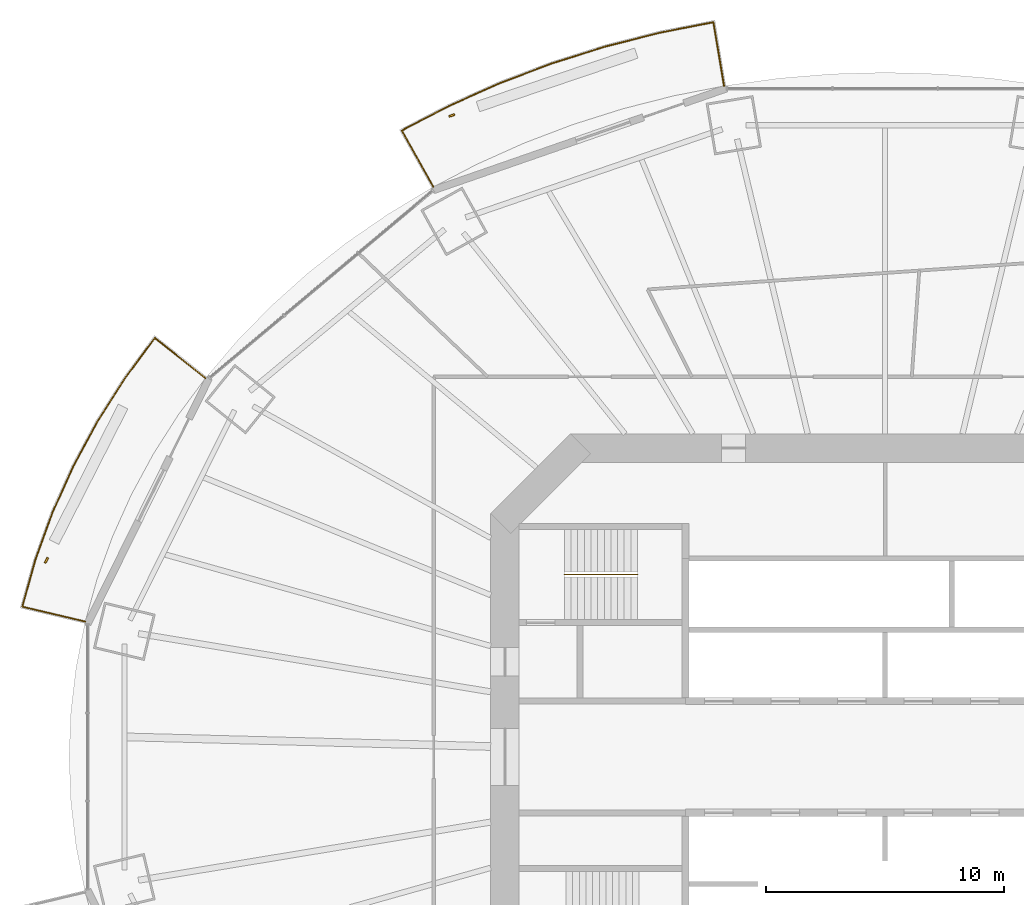
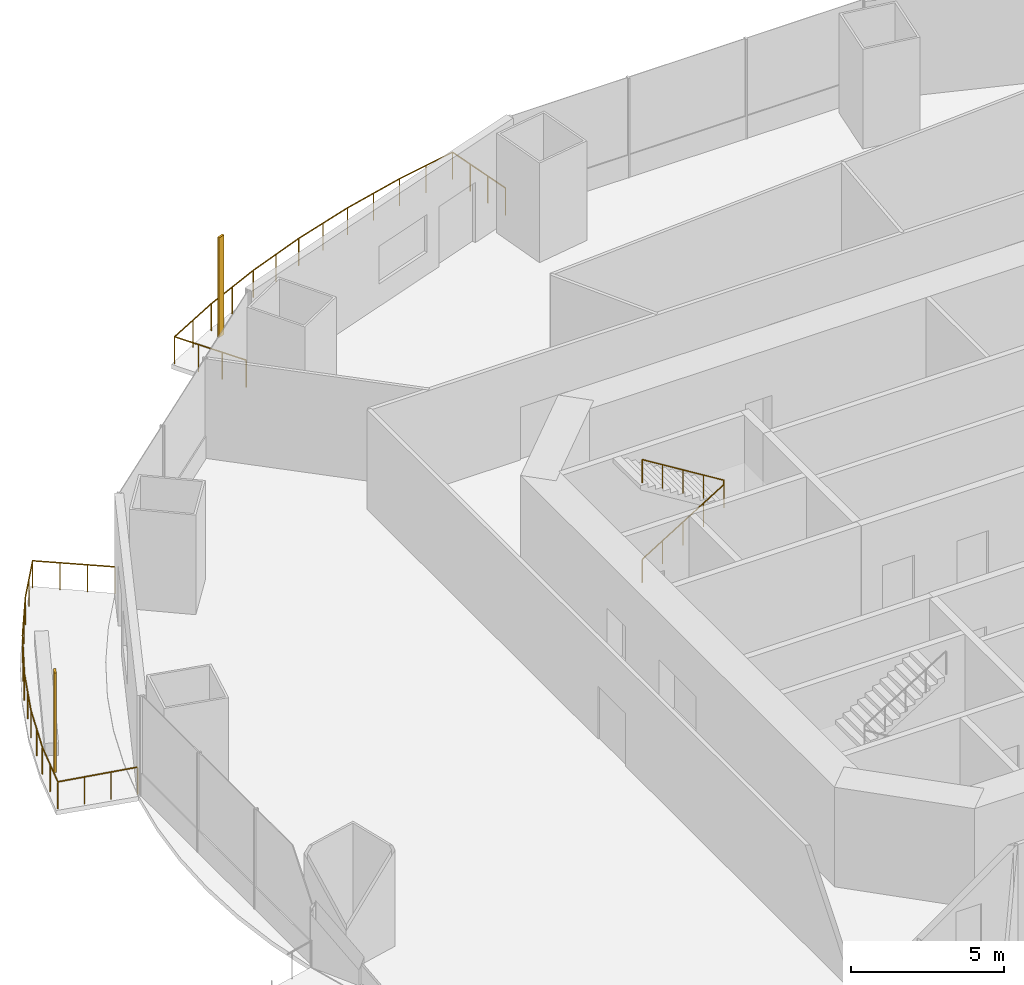
# One storey, part 19 of 22: 3 railings, 2 shading devices.
"""IFC4 building model written with IfcOpenShell, lengths in metres."""

from ifc_helpers import new_model, si_unit, direction, frame, origin, origin_2d, place, context, subcontext, project, spatial, rectangle, circle, extrude, material, material_profile, profile_set, type_object, element, save


model = new_model("IFC4")

# Units and contexts
model_context = context("Model", 3, precision=1e-05, world=origin(), true_north=direction((0.0, 1.0)))
body_context = subcontext(model_context, "Body", "Model", "MODEL_VIEW")
ifc_project = project(units=[si_unit("LENGTHUNIT", "METRE"), si_unit("AREAUNIT", "SQUARE_METRE"), si_unit("VOLUMEUNIT", "CUBIC_METRE"), si_unit("PLANEANGLEUNIT", "RADIAN"), si_unit("MASSUNIT", "GRAM", prefix="KILO")], contexts=[model_context])

# Site, building, storey
site_placement = place(None, origin())
site = spatial("IfcSite", under=ifc_project, at=site_placement, CompositionType="ELEMENT")
building_placement = place(site_placement, origin())
building = spatial("IfcBuilding", under=site, at=building_placement, Name="Marenthal Gate Tower", CompositionType="ELEMENT")
storey_placement = place(building_placement, frame((0.0, 0.0, 111.85009765625)))
storey = spatial("IfcBuildingStorey", under=building, at=storey_placement, Name="L23", CompositionType="ELEMENT", Elevation=111.85009765625)

# Railings
ifc_material_1 = material(Name="Stainless steel", Category="steel")
railing_type_1 = type_object("IfcRailingType", Name="Balcony guard 1100", PredefinedType="GUARDRAIL", material=ifc_material_1)
railing_1_placement = place(storey_placement, frame((-19.01171875, 23.9921875, 0.0)))
element("IfcRailing", 1, at=railing_1_placement, inside=storey, type_object=railing_type_1, Name="Balcony guard L23 bay 5", PredefinedType="GUARDRAIL", context=body_context, shape_type="SweptSolid", body=[
    extrude(circle(Radius=0.02392578125, at=origin_2d()), frame((0.0, 0.0, 1.076171875), z_axis=(-0.489197979897, 0.87204857286, -0.014718119373), x_axis=(-0.872143041114, -0.489250974283, 0.0)), (0.0, 0.0, 1.0), 2.720458984375),
    extrude(circle(Radius=0.02392578125, at=origin_2d()), frame((-1.330810546875, 2.372314453125, 1.0361328125), z_axis=(0.887125590865, 0.461528098855, 0.0), x_axis=(-0.461528098855, 0.887125590865, 0.0)), (0.0, 0.0, 1.0), 2.235595703125),
    extrude(circle(Radius=0.02392578125, at=origin_2d()), frame((0.65234375, 3.404052734375, 1.0361328125), z_axis=(0.912494502903, 0.409088966083, 0.0), x_axis=(-0.409088966083, 0.912494502903, 0.0)), (0.0, 0.0, 1.0), 2.332275390625),
    extrude(circle(Radius=0.02392578125, at=origin_2d()), frame((2.780517578125, 4.358154296875, 1.0361328125), z_axis=(0.934764240257, 0.35526865206, 0.0), x_axis=(-0.35526865206, 0.934764240257, 0.0)), (0.0, 0.0, 1.0), 2.347412109375),
    extrude(circle(Radius=0.02392578125, at=origin_2d()), frame((4.974853515625, 5.192138671875, 1.0361328125), z_axis=(0.953609232067, 0.30104722639, 0.0), x_axis=(-0.30104722639, 0.953609232067, 0.0)), (0.0, 0.0, 1.0), 2.36083984375),
    extrude(circle(Radius=0.02392578125, at=origin_2d()), frame((7.22607421875, 5.90283203125, 1.0361328125), z_axis=(0.969104776695, 0.246649410675, 0.0), x_axis=(-0.246649410675, 0.969104776695, 0.0)), (0.0, 0.0, 1.0), 2.37255859375),
    extrude(circle(Radius=0.02392578125, at=origin_2d()), frame((9.525390625, 6.488037109375, 1.0361328125), z_axis=(0.981215853429, 0.192913060677, 0.0), x_axis=(-0.192913060677, 0.981215853429, 0.0)), (0.0, 0.0, 1.0), 2.302001953125),
    extrude(circle(Radius=0.02392578125, at=origin_2d()), frame((11.7841796875, 6.93212890625, 1.0361328125), z_axis=(0.164686797849, -0.986236088047, 0.014718602097), x_axis=(0.986342933143, 0.164704639396, 0.0)), (0.0, 0.0, 1.0), 2.72021484375),
    extrude(circle(Radius=0.02099609375, at=origin_2d()), origin(), (0.0, 0.0, 1.0), 1.052001953125),
    extrude(circle(Radius=0.02099609375, at=origin_2d()), frame((-0.443603515625, 0.790771484375, -0.013427734375)), (0.0, 0.0, 1.0), 1.052001953125),
    extrude(circle(Radius=0.02099609375, at=origin_2d()), frame((-0.88720703125, 1.58154296875, -0.026611328125)), (0.0, 0.0, 1.0), 1.052001953125),
    extrude(circle(Radius=0.02099609375, at=origin_2d()), frame((-1.330810546875, 2.372314453125, -0.0400390625)), (0.0, 0.0, 1.0), 1.052001953125),
    extrude(circle(Radius=0.02099609375, at=origin_2d()), frame((-0.33935546875, 2.88818359375, -0.0400390625)), (0.0, 0.0, 1.0), 1.052001953125),
    extrude(circle(Radius=0.02099609375, at=origin_2d()), frame((0.65234375, 3.404052734375, -0.0400390625)), (0.0, 0.0, 1.0), 1.052001953125),
    extrude(circle(Radius=0.02099609375, at=origin_2d()), frame((1.71630859375, 3.881103515625, -0.0400390625)), (0.0, 0.0, 1.0), 1.052001953125),
    extrude(circle(Radius=0.02099609375, at=origin_2d()), frame((2.780517578125, 4.358154296875, -0.0400390625)), (0.0, 0.0, 1.0), 1.052001953125),
    extrude(circle(Radius=0.02099609375, at=origin_2d()), frame((3.877685546875, 4.775146484375, -0.0400390625)), (0.0, 0.0, 1.0), 1.052001953125),
    extrude(circle(Radius=0.02099609375, at=origin_2d()), frame((4.974853515625, 5.192138671875, -0.0400390625)), (0.0, 0.0, 1.0), 1.052001953125),
    extrude(circle(Radius=0.02099609375, at=origin_2d()), frame((6.1005859375, 5.54736328125, -0.0400390625)), (0.0, 0.0, 1.0), 1.052001953125),
    extrude(circle(Radius=0.02099609375, at=origin_2d()), frame((7.22607421875, 5.90283203125, -0.0400390625)), (0.0, 0.0, 1.0), 1.052001953125),
    extrude(circle(Radius=0.02099609375, at=origin_2d()), frame((8.375732421875, 6.1953125, -0.0400390625)), (0.0, 0.0, 1.0), 1.052001953125),
    extrude(circle(Radius=0.02099609375, at=origin_2d()), frame((9.525390625, 6.488037109375, -0.0400390625)), (0.0, 0.0, 1.0), 1.052001953125),
    extrude(circle(Radius=0.02099609375, at=origin_2d()), frame((10.65478515625, 6.7099609375, -0.0400390625)), (0.0, 0.0, 1.0), 1.052001953125),
    extrude(circle(Radius=0.02099609375, at=origin_2d()), frame((11.7841796875, 6.93212890625, -0.0400390625)), (0.0, 0.0, 1.0), 1.052001953125),
    extrude(circle(Radius=0.02099609375, at=origin_2d()), frame((11.93359375, 6.037841796875, -0.026611328125)), (0.0, 0.0, 1.0), 1.052001953125),
    extrude(circle(Radius=0.02099609375, at=origin_2d()), frame((12.082763671875, 5.1435546875, -0.013427734375)), (0.0, 0.0, 1.0), 1.052001953125),
    extrude(circle(Radius=0.02099609375, at=origin_2d()), frame((12.232177734375, 4.249267578125, 0.0)), (0.0, 0.0, 1.0), 1.052001953125),
])
railing_2_placement = place(storey_placement, frame((-33.667724609375, 5.697998046875, 0.0)))
element("IfcRailing", 2, at=railing_2_placement, inside=storey, type_object=railing_type_1, Name="Balcony guard L23 bay 7", PredefinedType="GUARDRAIL", context=body_context, shape_type="SweptSolid", body=[
    extrude(circle(Radius=0.02392578125, at=origin_2d()), frame((0.0, 0.0, 1.076171875), z_axis=(-0.972946801612, 0.230559942195, -0.014718501565), x_axis=(-0.230584919848, -0.973052205557, 0.0)), (0.0, 0.0, 1.0), 2.72021484375),
    extrude(circle(Radius=0.02392578125, at=origin_2d()), frame((-2.646728515625, 0.627197265625, 1.0361328125), z_axis=(0.269340401915, 0.963045039391, 0.0), x_axis=(-0.963045039391, 0.269340401915, 0.0)), (0.0, 0.0, 1.0), 2.033203125),
    extrude(circle(Radius=0.02392578125, at=origin_2d()), frame((-2.09912109375, 2.585205078125, 1.0361328125), z_axis=(0.340071165829, 0.940399703409, 0.0), x_axis=(-0.940399703409, 0.340071165829, 0.0)), (0.0, 0.0, 1.0), 2.122802734375),
    extrude(circle(Radius=0.02392578125, at=origin_2d()), frame((-1.377197265625, 4.58154296875, 1.0361328125), z_axis=(0.40931851754, 0.912391555857, 0.0), x_axis=(-0.912391555857, 0.40931851754, 0.0)), (0.0, 0.0, 1.0), 2.13525390625),
    extrude(circle(Radius=0.02392578125, at=origin_2d()), frame((-0.503173828125, 6.52978515625, 1.0361328125), z_axis=(0.475203433283, 0.87987595546, 0.0), x_axis=(-0.87987595546, 0.475203433283, 0.0)), (0.0, 0.0, 1.0), 2.149658203125),
    extrude(circle(Radius=0.02392578125, at=origin_2d()), frame((0.518310546875, 8.421142578125, 1.0361328125), z_axis=(0.537437089424, 0.843303844953, 0.0), x_axis=(-0.843303844953, 0.537437089424, 0.0)), (0.0, 0.0, 1.0), 2.16552734375),
    extrude(circle(Radius=0.02392578125, at=origin_2d()), frame((1.68212890625, 10.247314453125, 1.0361328125), z_axis=(0.594374737218, 0.804188206676, 0.0), x_axis=(-0.804188206676, 0.594374737218, 0.0)), (0.0, 0.0, 1.0), 2.1025390625),
    extrude(circle(Radius=0.02392578125, at=origin_2d()), frame((2.931884765625, 11.938232421875, 1.0361328125), z_axis=(0.78234035398, -0.622677225641, 0.014718804411), x_axis=(0.622744685996, 0.782425112112, 0.0)), (0.0, 0.0, 1.0), 2.72021484375),
    extrude(circle(Radius=0.02099609375, at=origin_2d()), origin(), (0.0, 0.0, 1.0), 1.052001953125),
    extrude(circle(Radius=0.02099609375, at=origin_2d()), frame((-0.88232421875, 0.208984375, -0.013427734375)), (0.0, 0.0, 1.0), 1.052001953125),
    extrude(circle(Radius=0.02099609375, at=origin_2d()), frame((-1.764404296875, 0.418212890625, -0.026611328125)), (0.0, 0.0, 1.0), 1.052001953125),
    extrude(circle(Radius=0.02099609375, at=origin_2d()), frame((-2.646728515625, 0.627197265625, -0.0400390625)), (0.0, 0.0, 1.0), 1.052001953125),
    extrude(circle(Radius=0.02099609375, at=origin_2d()), frame((-2.373046875, 1.606201171875, -0.0400390625)), (0.0, 0.0, 1.0), 1.052001953125),
    extrude(circle(Radius=0.02099609375, at=origin_2d()), frame((-2.09912109375, 2.585205078125, -0.0400390625)), (0.0, 0.0, 1.0), 1.052001953125),
    extrude(circle(Radius=0.02099609375, at=origin_2d()), frame((-1.73828125, 3.58349609375, -0.0400390625)), (0.0, 0.0, 1.0), 1.052001953125),
    extrude(circle(Radius=0.02099609375, at=origin_2d()), frame((-1.377197265625, 4.58154296875, -0.0400390625)), (0.0, 0.0, 1.0), 1.052001953125),
    extrude(circle(Radius=0.02099609375, at=origin_2d()), frame((-0.940185546875, 5.5556640625, -0.0400390625)), (0.0, 0.0, 1.0), 1.052001953125),
    extrude(circle(Radius=0.02099609375, at=origin_2d()), frame((-0.503173828125, 6.52978515625, -0.0400390625)), (0.0, 0.0, 1.0), 1.052001953125),
    extrude(circle(Radius=0.02099609375, at=origin_2d()), frame((0.007568359375, 7.4755859375, -0.0400390625)), (0.0, 0.0, 1.0), 1.052001953125),
    extrude(circle(Radius=0.02099609375, at=origin_2d()), frame((0.518310546875, 8.421142578125, -0.0400390625)), (0.0, 0.0, 1.0), 1.052001953125),
    extrude(circle(Radius=0.02099609375, at=origin_2d()), frame((1.10009765625, 9.334228515625, -0.0400390625)), (0.0, 0.0, 1.0), 1.052001953125),
    extrude(circle(Radius=0.02099609375, at=origin_2d()), frame((1.68212890625, 10.247314453125, -0.0400390625)), (0.0, 0.0, 1.0), 1.052001953125),
    extrude(circle(Radius=0.02099609375, at=origin_2d()), frame((2.30712890625, 11.0927734375, -0.0400390625)), (0.0, 0.0, 1.0), 1.052001953125),
    extrude(circle(Radius=0.02099609375, at=origin_2d()), frame((2.931884765625, 11.938232421875, -0.0400390625)), (0.0, 0.0, 1.0), 1.052001953125),
    extrude(circle(Radius=0.02099609375, at=origin_2d()), frame((3.641357421875, 11.37353515625, -0.026611328125)), (0.0, 0.0, 1.0), 1.052001953125),
    extrude(circle(Radius=0.02099609375, at=origin_2d()), frame((4.3505859375, 10.80908203125, -0.013427734375)), (0.0, 0.0, 1.0), 1.052001953125),
    extrude(circle(Radius=0.02099609375, at=origin_2d()), frame((5.06005859375, 10.244384765625, 0.0)), (0.0, 0.0, 1.0), 1.052001953125),
])
ifc_material_2 = material(Name="Stainless steel", Category="steel")
railing_type_2 = type_object("IfcRailingType", Name="Stair handrail", PredefinedType="HANDRAIL", material=ifc_material_2)
railing_3_placement = place(storey_placement, frame((-13.5, 7.675048828125, 0.1728515625)))
element("IfcRailing", 3, at=railing_3_placement, inside=storey, type_object=railing_type_2, Name="Handrail ST1", PredefinedType="HANDRAIL", context=body_context, shape_type="SweptSolid", body=[
    extrude(circle(Radius=0.0224609375, at=origin_2d()), frame((0.0, 0.0, 0.927490234375), z_axis=(0.850835241893, 0.0, 0.525432575268), x_axis=(0.0, 1.0, 0.0)), (0.0, 0.0, 1.0), 3.6201171875),
    extrude(circle(Radius=0.0224609375, at=origin_2d()), frame((3.080078125, 0.0, 2.82958984375), z_axis=(0.0, 0.0, 1.0), x_axis=(1.0, 0.0, 0.0)), (0.0, 0.0, 1.0), 0.1728515625),
    extrude(circle(Radius=0.0224609375, at=origin_2d()), frame((3.080078125, 0.0, 3.00244140625), z_axis=(-0.850835241893, 0.0, 0.525432575268), x_axis=(0.0, -1.0, 0.0)), (0.0, 0.0, 1.0), 3.6201171875),
    extrude(circle(Radius=0.02001953125, at=origin_2d()), origin(), (0.0, 0.0, 1.0), 0.905029296875),
    extrude(circle(Radius=0.02001953125, at=origin_2d()), frame((0.77001953125, 0.0, 0.4755859375)), (0.0, 0.0, 1.0), 0.905029296875),
    extrude(circle(Radius=0.02001953125, at=origin_2d()), frame((1.5400390625, 0.0, 0.951171875)), (0.0, 0.0, 1.0), 0.905029296875),
    extrude(circle(Radius=0.02001953125, at=origin_2d()), frame((2.31005859375, 0.0, 1.426513671875)), (0.0, 0.0, 1.0), 0.905029296875),
    extrude(circle(Radius=0.02001953125, at=origin_2d()), frame((3.080078125, 0.0, 1.902099609375)), (0.0, 0.0, 1.0), 0.905029296875),
    extrude(circle(Radius=0.02001953125, at=origin_2d()), frame((3.080078125, 0.0, 2.074951171875)), (0.0, 0.0, 1.0), 0.905029296875),
    extrude(circle(Radius=0.02001953125, at=origin_2d()), frame((2.31005859375, 0.0, 2.550537109375)), (0.0, 0.0, 1.0), 0.905029296875),
    extrude(circle(Radius=0.02001953125, at=origin_2d()), frame((1.5400390625, 0.0, 3.02587890625)), (0.0, 0.0, 1.0), 0.905029296875),
    extrude(circle(Radius=0.02001953125, at=origin_2d()), frame((0.77001953125, 0.0, 3.50146484375)), (0.0, 0.0, 1.0), 0.905029296875),
    extrude(circle(Radius=0.02001953125, at=origin_2d()), frame((0.0, 0.0, 3.97705078125)), (0.0, 0.0, 1.0), 0.905029296875),
])

# Shading devices
ifc_material_3 = material(Name="Terracotta", Category="masonry")
ifc_material_profile = material_profile(ifc_material_3, rectangle(XDim=0.25, YDim=0.080078125, at=origin_2d()), Name="Terracotta baguette 250x80")
ifc_profile_set = profile_set([ifc_material_profile], Name="Terracotta")
shading_device_type = type_object("IfcShadingDeviceType", Name="Terracotta BAGUETTE SCREEN 250x80", PredefinedType="USERDEFINED", material=ifc_profile_set)
for number, where, z_axis, x_axis, name in (
    (4, (-18.238037109375, 26.999267578125, -0.0400390625), (0.0, 0.0, 1.0), (-0.94459732274, -0.328231469959, 0.0), "Terracotta BAGUETTE L23 bay 5R"),
    (5, (-35.300048828125, 8.2734375, -0.0400390625), (0.0, 0.0, 1.0), (-0.442731257123, -0.896654355907, 0.0), "Terracotta BAGUETTE L23 bay 7R"),
):
    element("IfcShadingDevice", number, at=place(storey_placement, frame(where, z_axis=z_axis, x_axis=x_axis)), inside=storey, type_object=shading_device_type, Name=name, ObjectType="BAGUETTE SCREEN", PredefinedType="USERDEFINED", context=body_context, shape_type="SweptSolid", body=[
        extrude(rectangle(XDim=0.25, YDim=0.080078125, at=origin_2d()), origin(), (0.0, 0.0, 1.0), 3.969970703125),
    ])

save(model, "model.ifc")
